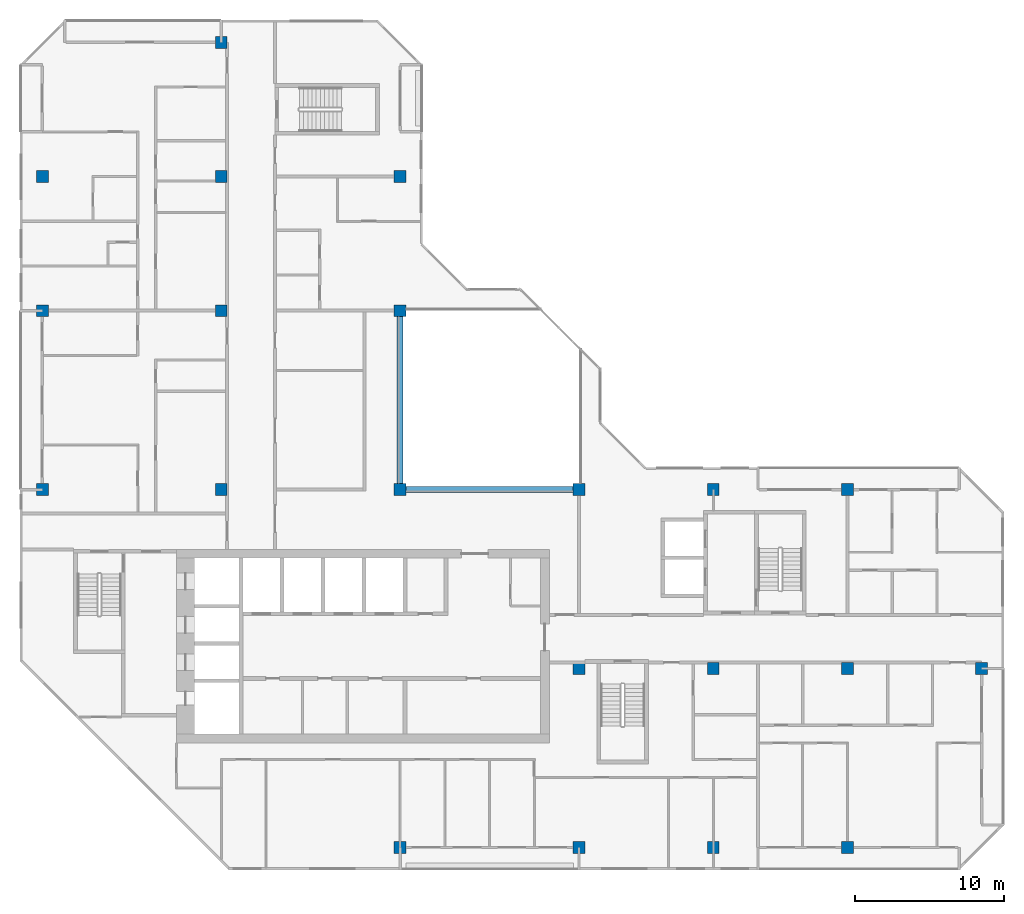
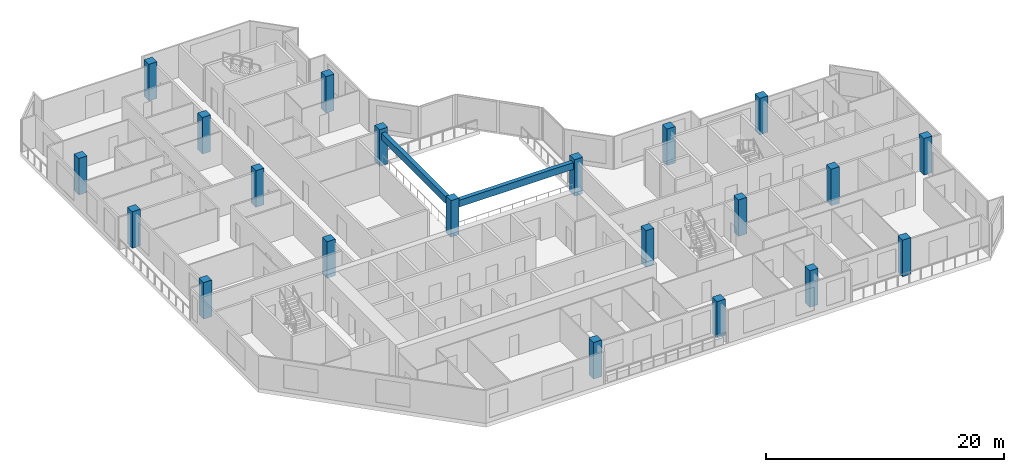
# One storey, part 1 of 13: 21 columns, 2 beams.
"""IFC4 building model written with IfcOpenShell, lengths in metres."""

from ifc_helpers import new_model, si_unit, direction, frame, origin, origin_2d, place, context, subcontext, project, spatial, rectangle, extrude, material, material_profile, profile_set, type_object, element, save


model = new_model("IFC4")

# Units and contexts
model_context = context("Model", 3, precision=1e-05, world=origin(), true_north=direction((0.0, 1.0)))
body_context = subcontext(model_context, "Body", "Model", "MODEL_VIEW")
ifc_project = project(units=[si_unit("LENGTHUNIT", "METRE"), si_unit("AREAUNIT", "SQUARE_METRE"), si_unit("VOLUMEUNIT", "CUBIC_METRE"), si_unit("PLANEANGLEUNIT", "RADIAN"), si_unit("MASSUNIT", "GRAM", prefix="KILO")], contexts=[model_context])

# Site, building, storey
site_placement = place(None, origin())
site = spatial("IfcSite", under=ifc_project, at=site_placement, CompositionType="ELEMENT")
building_placement = place(site_placement, origin())
building = spatial("IfcBuilding", under=site, at=building_placement, Name="Chenar Terraces", CompositionType="ELEMENT")
storey_placement = place(building_placement, frame((0.0, 0.0, 292.14990234375)))
storey = spatial("IfcBuildingStorey", under=building, at=storey_placement, Name="L68", CompositionType="ELEMENT", Elevation=292.14990234375)

# Columns
ifc_material_1 = material(Name="Concrete C50/60", Category="concrete")
ifc_material_profile_1 = material_profile(ifc_material_1, rectangle(XDim=0.800048828125, YDim=0.800048828125, at=origin_2d()), Name="C 800 x 800")
ifc_profile_set_1 = profile_set([ifc_material_profile_1], Name="Concrete C50/60")
column_type = type_object("IfcColumnType", Name="Column C 800 x 800 Concrete C50/60", PredefinedType="COLUMN", material=ifc_profile_set_1)
column_1_placement = place(storey_placement, frame((0.0, 24.0, 0.0), z_axis=(0.0, 0.0, 1.0), x_axis=(1.0, 0.0, 0.0)))
element("IfcColumn", 1, at=column_1_placement, inside=storey, type_object=column_type, Name="Column 5/G L68", PredefinedType="COLUMN", context=body_context, shape_type="SweptSolid", body=[
    extrude(rectangle(XDim=0.800048828125, YDim=0.800048828125, at=origin_2d()), origin(), (0.0, 0.0, 1.0), 3.75),
])
column_2_placement = place(storey_placement, frame((0.0, 36.0, 0.0), z_axis=(0.0, 0.0, 1.0), x_axis=(1.0, 0.0, 0.0)))
element("IfcColumn", 2, at=column_2_placement, inside=storey, type_object=column_type, Name="Column 5/H L68", PredefinedType="COLUMN", context=body_context, shape_type="SweptSolid", body=[
    extrude(rectangle(XDim=0.800048828125, YDim=0.800048828125, at=origin_2d()), origin(), (0.0, 0.0, 1.0), 3.75),
])
for number, where, z_axis, x_axis, name in (
    (3, (0.0, 45.0, 0.0), (0.0, 0.0, 1.0), (1.0, 0.0, 0.0), "Column 5/J L68"),
    (4, (12.0, 24.0, 0.0), (0.0, 0.0, 1.0), (1.0, 0.0, 0.0), "Column 6/G L68"),
    (5, (12.0, 36.0, 0.0), (0.0, 0.0, 1.0), (1.0, 0.0, 0.0), "Column 6/H L68"),
    (6, (12.0, 45.0, 0.0), (0.0, 0.0, 1.0), (1.0, 0.0, 0.0), "Column 6/J L68"),
    (7, (12.0, 54.0, 0.0), (0.0, 0.0, 1.0), (1.0, 0.0, 0.0), "Column 6/K L68"),
    (8, (24.0, 0.0, 0.0), (0.0, 0.0, 1.0), (1.0, 0.0, 0.0), "Column 7/E L68"),
    (9, (24.0, 24.0, 0.0), (0.0, 0.0, 1.0), (1.0, 0.0, 0.0), "Column 7/G L68"),
    (10, (24.0, 36.0, 0.0), (0.0, 0.0, 1.0), (1.0, 0.0, 0.0), "Column 7/H L68"),
    (11, (24.0, 45.0, 0.0), (0.0, 0.0, 1.0), (1.0, 0.0, 0.0), "Column 7/J L68"),
    (12, (36.0, 0.0, 0.0), (0.0, 0.0, 1.0), (1.0, 0.0, 0.0), "Column 8/E L68"),
    (13, (36.0, 12.0, 0.0), (0.0, 0.0, 1.0), (1.0, 0.0, 0.0), "Column 8/F L68"),
    (14, (36.0, 24.0, 0.0), (0.0, 0.0, 1.0), (1.0, 0.0, 0.0), "Column 8/G L68"),
    (15, (45.0, 0.0, 0.0), (0.0, 0.0, 1.0), (1.0, 0.0, 0.0), "Column 9/E L68"),
    (16, (45.0, 12.0, 0.0), (0.0, 0.0, 1.0), (1.0, 0.0, 0.0), "Column 9/F L68"),
    (17, (45.0, 24.0, 0.0), (0.0, 0.0, 1.0), (1.0, 0.0, 0.0), "Column 9/G L68"),
    (18, (54.0, 0.0, 0.0), (0.0, 0.0, 1.0), (1.0, 0.0, 0.0), "Column 10/E L68"),
    (19, (54.0, 12.0, 0.0), (0.0, 0.0, 1.0), (1.0, 0.0, 0.0), "Column 10/F L68"),
    (20, (54.0, 24.0, 0.0), (0.0, 0.0, 1.0), (1.0, 0.0, 0.0), "Column 10/G L68"),
    (21, (63.0, 12.0, 0.0), (0.0, 0.0, 1.0), (1.0, 0.0, 0.0), "Column 11/F L68"),
):
    element("IfcColumn", number, at=place(storey_placement, frame(where, z_axis=z_axis, x_axis=x_axis)), inside=storey, type_object=column_type, Name=name, PredefinedType="COLUMN", context=body_context, shape_type="SweptSolid", body=[
        extrude(rectangle(XDim=0.800048828125, YDim=0.800048828125, at=origin_2d()), origin(), (0.0, 0.0, 1.0), 3.75),
    ])

# Beams
ifc_material_2 = material(Name="Concrete C40/50", Category="concrete")
ifc_material_profile_2 = material_profile(ifc_material_2, rectangle(XDim=0.39990234375, YDim=0.699951171875, at=origin_2d()), Name="RC 400 x 700")
ifc_profile_set_2 = profile_set([ifc_material_profile_2], Name="Concrete C40/50")
beam_type = type_object("IfcBeamType", Name="Atrium edge beam 400 x 700 Concrete C40/50", PredefinedType="BEAM", material=ifc_profile_set_2)
for number, where, z_axis, x_axis, name in (
    (22, (24.39990234375, 24.0, 3.0), (1.0, 0.0, 0.0), (0.0, 1.0, 0.0), "Atrium edge beam L69 1"),
    (23, (24.0, 35.60009765625, 3.0), (0.0, -1.0, 0.0), (1.0, 0.0, 0.0), "Atrium edge beam L69 4"),
):
    element("IfcBeam", number, at=place(storey_placement, frame(where, z_axis=z_axis, x_axis=x_axis)), inside=storey, type_object=beam_type, Name=name, PredefinedType="BEAM", context=body_context, shape_type="SweptSolid", body=[
        extrude(rectangle(XDim=0.39990234375, YDim=0.699951171875, at=origin_2d()), origin(), (0.0, 0.0, 1.0), 11.2001953125),
    ])

save(model, "model.ifc")
